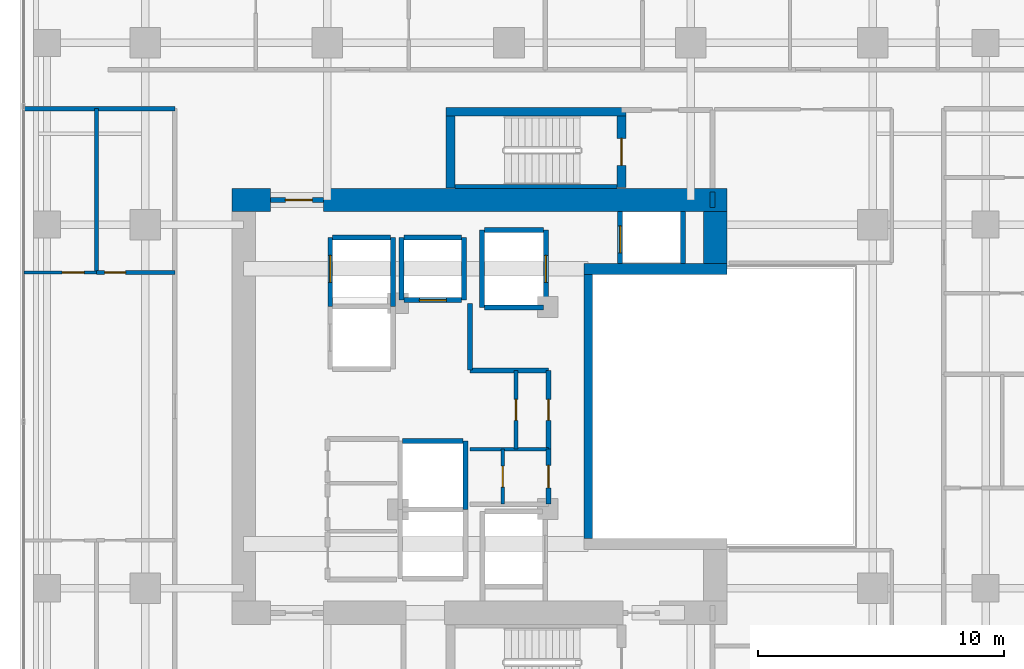
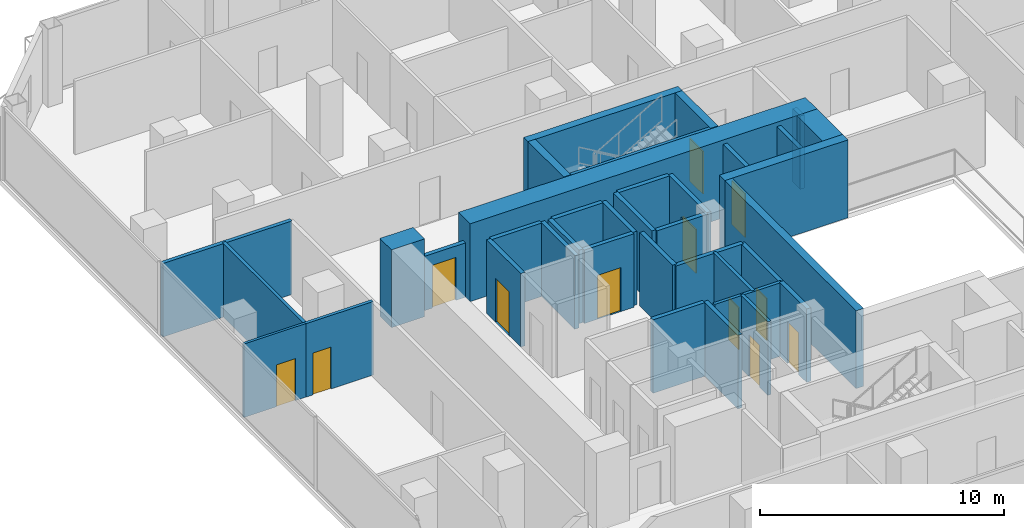
# One storey, part 21 of 27: 37 walls, 12 doors, 12 openings.
"""IFC4 building model written with IfcOpenShell, lengths in metres."""

from ifc_helpers import new_model, si_unit, direction, frame, frame_2d, origin, place, context, subcontext, project, spatial, rectangle, extrude, material, layer, layer_set, type_object, element, fill, save


model = new_model("IFC4")

# Units and contexts
model_context = context("Model", 3, precision=1e-05, world=origin(), true_north=direction((0.0, 1.0)))
body_context = subcontext(model_context, "Body", "Model", "MODEL_VIEW")
ifc_project = project(units=[si_unit("LENGTHUNIT", "METRE"), si_unit("AREAUNIT", "SQUARE_METRE"), si_unit("VOLUMEUNIT", "CUBIC_METRE"), si_unit("PLANEANGLEUNIT", "RADIAN"), si_unit("MASSUNIT", "GRAM", prefix="KILO")], contexts=[model_context])

# Site, building, storey
site_placement = place(None, origin())
site = spatial("IfcSite", under=ifc_project, at=site_placement, CompositionType="ELEMENT")
building_placement = place(site_placement, origin())
building = spatial("IfcBuilding", under=site, at=building_placement, Name="Khorvyn Point Tower", CompositionType="ELEMENT")
storey_placement = place(building_placement, frame((0.0, 0.0, 125.10009765625)))
storey = spatial("IfcBuildingStorey", under=building, at=storey_placement, Name="L31", CompositionType="ELEMENT", Elevation=125.10009765625)

# Walls
ifc_material_1 = material(Name="Double acoustic gypsum on twin steel stud", Category="steel")
ifc_layer_1 = layer(ifc_material_1, 0.179931640625)
ifc_layer_set_1 = layer_set([ifc_layer_1], Name="Acoustic Double-Stud Apartment Demising Wall 180")
wall_type_1 = type_object("IfcWallType", Name="Acoustic Double-Stud Apartment Demising Wall 180", PredefinedType="PARTITIONING", material=ifc_layer_set_1)
wall_1_placement = place(storey_placement, frame((-19.72998046875, 12.1201171875, 0.0), z_axis=(0.0, 0.0, 1.0), x_axis=(1.0, 0.0, 0.0)))
element("IfcWall", 1, at=wall_1_placement, inside=storey, type_object=wall_type_1, Name="Wall", PredefinedType="PARTITIONING", context=body_context, shape_type="SweptSolid", body=[
    extrude(rectangle(XDim=6.1298828125, YDim=0.179931640625, at=frame_2d((3.06494140625, 0.0))), origin(), (0.0, 0.0, 1.0), 3.679931640625),
])
ifc_material_2 = material(Name="Concrete C40/50", Category="concrete")
ifc_layer_2 = layer(ifc_material_2, 0.449951171875)
ifc_layer_set_2 = layer_set([ifc_layer_2], Name="Concrete C40/50 Core Shear Wall 450")
wall_type_2 = type_object("IfcWallType", Name="Concrete C40/50 Core Shear Wall 450", PredefinedType="SHEAR", material=ifc_layer_set_2)
wall_2_placement = place(storey_placement, frame((3.044921875, 5.60009765625, 0.0), z_axis=(0.0, 0.0, 1.0), x_axis=(1.0, 0.0, 0.0)))
element("IfcWall", 2, at=wall_2_placement, inside=storey, type_object=wall_type_2, Name="Wall", PredefinedType="SHEAR", context=body_context, shape_type="SweptSolid", body=[
    extrude(rectangle(XDim=5.830078125, YDim=0.449951171875, at=frame_2d((2.9150390625, 0.0))), origin(), (0.0, 0.0, 1.0), 3.89990234375),
])

# Wall, opening, door
ifc_layer_3 = layer(ifc_material_2, 0.199951171875)
ifc_layer_set_3 = layer_set([ifc_layer_3], Name="Concrete C40/50 Fire-Lobby Compartment Wall 200")
wall_type_3 = type_object("IfcWallType", Name="Concrete C40/50 Fire-Lobby Compartment Wall 200", PredefinedType="SOLIDWALL", material=ifc_layer_set_3)
wall_3_placement = place(storey_placement, frame((-9.699951171875, 8.39990234375, 0.0), z_axis=(0.0, 0.0, 1.0), x_axis=(1.0, 0.0, 0.0)))
wall_3 = element("IfcWall", 3, at=wall_3_placement, inside=storey, type_object=wall_type_3, Name="Wall", PredefinedType="SOLIDWALL", context=body_context, shape_type="SweptSolid", body=[
    extrude(rectangle(XDim=2.14990234375, YDim=0.199951171875, at=frame_2d((1.074951171875, 0.0))), origin(), (0.0, 0.0, 1.0), 2.719970703125),
])
opening_1_placement = place(wall_3_placement, frame((0.597900390625, 0.0, 0.0)))
opening_1 = element("IfcOpeningElement", 4, at=opening_1_placement, cuts=wall_3, Name="Opening ID-FL90", PredefinedType="OPENING", context=body_context, shape_type="SweptSolid", body=[
    extrude(rectangle(XDim=1.10009765625, YDim=2.14990234375, at=frame_2d((0.550048828125, 1.074951171875))), frame((0.0, 0.10986328125, 0.0), z_axis=(0.0, -1.0, 0.0), x_axis=(1.0, 0.0, 0.0)), (0.0, 0.0, 1.0), 0.219970703125),
])
ifc_material_3 = material(Name="Galvanised powder-coated steel", Category="steel")
door_type_1 = type_object("IfcDoorType", Name="Fire-Rated Steel Lobby and Stair Door 1100x2150", OperationType="NOTDEFINED", PredefinedType="DOOR", material=ifc_material_3)
door_1_placement = place(opening_1_placement, origin())
door_1 = element("IfcDoor", 5, at=door_1_placement, inside=storey, type_object=door_type_1, Name="Door", OperationType="SINGLE_SWING_LEFT", OverallHeight=2.14990234375, OverallWidth=1.10009765625, PredefinedType="DOOR", context=body_context, shape_type="SweptSolid", body=[
    extrude(rectangle(XDim=1.10009765625, YDim=2.14990234375, at=frame_2d((0.550048828125, 1.074951171875))), frame((0.0, 0.02490234375, 0.0), z_axis=(0.0, -1.0, 0.0), x_axis=(1.0, 0.0, 0.0)), (0.0, 0.0, 1.0), 0.050048828125),
])
fill(opening_1, door_1)

wall_4_placement = place(storey_placement, frame((1.610107421875, -3.97998046875, 0.0), z_axis=(0.0, 0.0, 1.0), x_axis=(0.0, 1.0, 0.0)))
wall_4 = element("IfcWall", 6, at=wall_4_placement, inside=storey, type_object=wall_type_3, Name="Wall", PredefinedType="SOLIDWALL", context=body_context, shape_type="SweptSolid", body=[
    extrude(rectangle(XDim=2.240966796875, YDim=0.199951171875, at=frame_2d((1.12060546875, 0.0))), origin(), (0.0, 0.0, 1.0), 3.679931640625),
])
opening_2_placement = place(wall_4_placement, frame((0.660400390625, 0.0, 0.0)))
opening_2 = element("IfcOpeningElement", 7, at=opening_2_placement, cuts=wall_4, Name="Opening ID-RS60", PredefinedType="OPENING", context=body_context, shape_type="SweptSolid", body=[
    extrude(rectangle(XDim=0.919921875, YDim=2.10009765625, at=frame_2d((0.4599609375, 1.050048828125))), frame((0.0, 0.10986328125, 0.0), z_axis=(0.0, -1.0, 0.0), x_axis=(1.0, 0.0, 0.0)), (0.0, 0.0, 1.0), 0.219970703125),
])
door_type_2 = type_object("IfcDoorType", Name="Fire-Rated Riser and Store Steel Door 920x2100", OperationType="NOTDEFINED", PredefinedType="DOOR", material=ifc_material_3)
door_2_placement = place(opening_2_placement, origin())
door_2 = element("IfcDoor", 8, at=door_2_placement, inside=storey, type_object=door_type_2, Name="Door", OperationType="SINGLE_SWING_LEFT", OverallHeight=2.10009765625, OverallWidth=0.919921875, PredefinedType="DOOR", context=body_context, shape_type="SweptSolid", body=[
    extrude(rectangle(XDim=0.919921875, YDim=2.10009765625, at=frame_2d((0.4599609375, 1.050048828125))), frame((0.0, 0.02490234375, 0.0), z_axis=(0.0, -1.0, 0.0), x_axis=(1.0, 0.0, 0.0)), (0.0, 0.0, 1.0), 0.050048828125),
])
fill(opening_2, door_2)

wall_5_placement = place(storey_placement, frame((1.610107421875, -1.739013671875, 0.0), z_axis=(0.0, 0.0, 1.0), x_axis=(0.0, 1.0, 0.0)))
wall_5 = element("IfcWall", 9, at=wall_5_placement, inside=storey, type_object=wall_type_3, Name="Wall", PredefinedType="SOLIDWALL", context=body_context, shape_type="SweptSolid", body=[
    extrude(rectangle(XDim=3.198974609375, YDim=0.199951171875, at=frame_2d((1.599609375, 0.0))), origin(), (0.0, 0.0, 1.0), 3.679931640625),
])
opening_3_placement = place(wall_5_placement, frame((1.174560546875, 0.0, 0.0)))
opening_3 = element("IfcOpeningElement", 10, at=opening_3_placement, cuts=wall_5, Name="Opening ID-WC85", PredefinedType="OPENING", context=body_context, shape_type="SweptSolid", body=[
    extrude(rectangle(XDim=0.85009765625, YDim=2.10009765625, at=frame_2d((0.425048828125, 1.050048828125))), frame((0.0, 0.10986328125, 0.0), z_axis=(0.0, -1.0, 0.0), x_axis=(1.0, 0.0, 0.0)), (0.0, 0.0, 1.0), 0.219970703125),
])
ifc_material_4 = material(Name="High-pressure laminate on moisture-resistant core", Category="wood")
door_type_3 = type_object("IfcDoorType", Name="Moisture-Resistant Accessible Washroom Door 850x2100", OperationType="NOTDEFINED", PredefinedType="DOOR", material=ifc_material_4)
door_3_placement = place(opening_3_placement, origin())
door_3 = element("IfcDoor", 11, at=door_3_placement, inside=storey, type_object=door_type_3, Name="Door", OperationType="SINGLE_SWING_RIGHT", OverallHeight=2.10009765625, OverallWidth=0.85009765625, PredefinedType="DOOR", context=body_context, shape_type="SweptSolid", body=[
    extrude(rectangle(XDim=0.85009765625, YDim=2.10009765625, at=frame_2d((0.425048828125, 1.050048828125))), frame((0.0, 0.02490234375, 0.0), z_axis=(0.0, -1.0, 0.0), x_axis=(1.0, 0.0, 0.0)), (0.0, 0.0, 1.0), 0.050048828125),
])
fill(opening_3, door_3)

# Walls
wall_6_placement = place(storey_placement, frame((-1.580078125, 1.47998046875, 0.0), z_axis=(0.0, 0.0, 1.0), x_axis=(0.0, 1.0, 0.0)))
element("IfcWall", 12, at=wall_6_placement, inside=storey, type_object=wall_type_3, Name="Wall", PredefinedType="SOLIDWALL", context=body_context, shape_type="SweptSolid", body=[
    extrude(rectangle(XDim=2.699951171875, YDim=0.199951171875, at=frame_2d((1.35009765625, 0.0))), origin(), (0.0, 0.0, 1.0), 3.679931640625),
])
wall_7_placement = place(storey_placement, frame((-1.580078125, 1.4599609375, 0.0), z_axis=(0.0, 0.0, 1.0), x_axis=(1.0, 0.0, 0.0)))
element("IfcWall", 13, at=wall_7_placement, inside=storey, type_object=wall_type_3, Name="Wall", PredefinedType="SOLIDWALL", context=body_context, shape_type="SweptSolid", body=[
    extrude(rectangle(XDim=3.190185546875, YDim=0.199951171875, at=frame_2d((1.59521484375, 0.0))), origin(), (0.0, 0.0, 1.0), 3.679931640625),
])
wall_8_placement = place(storey_placement, frame((8.280029296875, 8.10009765625, 0.0), z_axis=(0.0, 0.0, 1.0), x_axis=(0.0, 1.0, 0.0)))
element("IfcWall", 14, at=wall_8_placement, inside=storey, type_object=wall_type_3, Name="Wall", PredefinedType="SOLIDWALL", context=body_context, shape_type="SweptSolid", body=[
    extrude(rectangle(XDim=0.625, YDim=0.199951171875, at=frame_2d((0.3125, 0.0))), origin(), (0.0, 0.0, 1.0), 3.679931640625),
])
ifc_layer_4 = layer(ifc_material_2, 0.25)
ifc_layer_set_4 = layer_set([ifc_layer_4], Name="Concrete C40/50 Stair Inner Cheek Structural Wall 250")
wall_type_4 = type_object("IfcWallType", Name="Concrete C40/50 Stair Inner Cheek Structural Wall 250", PredefinedType="SHEAR", material=ifc_layer_set_4)
wall_9_placement = place(storey_placement, frame((-2.199951171875, 8.949951171875, 0.0), z_axis=(0.0, 0.0, 1.0), x_axis=(1.0, 0.0, 0.0)))
element("IfcWall", 15, at=wall_9_placement, inside=storey, type_object=wall_type_4, Name="Wall", PredefinedType="SHEAR", context=body_context, shape_type="SweptSolid", body=[
    extrude(rectangle(XDim=6.599853515625, YDim=0.14990234375, at=frame_2d((3.2998046875, 0.0))), origin(), (0.0, 0.0, 1.0), 3.89990234375),
])
ifc_layer_5 = layer(ifc_material_2, 0.35009765625)
ifc_layer_set_5 = layer_set([ifc_layer_5], Name="Concrete C40/50 Stair Shaft Structural Wall 350")
wall_type_5 = type_object("IfcWallType", Name="Concrete C40/50 Stair Shaft Structural Wall 350", PredefinedType="SHEAR", material=ifc_layer_set_5)
wall_10_placement = place(storey_placement, frame((3.219970703125, -5.375, 0.0), z_axis=(0.0, 0.0, 1.0), x_axis=(0.0, 1.0, 0.0)))
element("IfcWall", 16, at=wall_10_placement, inside=storey, type_object=wall_type_5, Name="Wall", PredefinedType="SHEAR", context=body_context, shape_type="SweptSolid", body=[
    extrude(rectangle(XDim=10.75, YDim=0.35009765625, at=frame_2d((5.375, 0.0))), origin(), (0.0, 0.0, 1.0), 3.89990234375),
])
wall_11_placement = place(storey_placement, frame((-2.554931640625, 12.0, 0.0), z_axis=(0.0, 0.0, 1.0), x_axis=(1.0, 0.0, 0.0)))
element("IfcWall", 17, at=wall_11_placement, inside=storey, type_object=wall_type_5, Name="L31 ST-02 North Shaft Wall", PredefinedType="SHEAR", context=body_context, shape_type="SweptSolid", body=[
    extrude(rectangle(XDim=7.309814453125, YDim=0.35009765625, at=frame_2d((3.65478515625, 0.0))), origin(), (0.0, 0.0, 1.0), 3.89990234375),
])
wall_12_placement = place(storey_placement, frame((-2.3798828125, 8.89990234375, 0.0), z_axis=(0.0, 0.0, 1.0), x_axis=(0.0, 1.0, 0.0)))
element("IfcWall", 18, at=wall_12_placement, inside=storey, type_object=wall_type_5, Name="L31 ST-02 West Shaft Wall", PredefinedType="SHEAR", context=body_context, shape_type="SweptSolid", body=[
    extrude(rectangle(XDim=2.925048828125, YDim=0.35009765625, at=frame_2d((1.46240234375, 0.0))), origin(), (0.0, 0.0, 1.0), 3.89990234375),
])

# Wall, opening, door
wall_13_placement = place(storey_placement, frame((4.580078125, 11.824951171875, 0.0), z_axis=(0.0, 0.0, 1.0), x_axis=(0.0, -1.0, 0.0)))
wall_13 = element("IfcWall", 19, at=wall_13_placement, inside=storey, type_object=wall_type_5, Name="L31 ST-02 East Landing Door Wall", PredefinedType="SHEAR", context=body_context, shape_type="SweptSolid", body=[
    extrude(rectangle(XDim=2.925048828125, YDim=0.35009765625, at=frame_2d((1.46240234375, 0.0))), origin(), (0.0, 0.0, 1.0), 3.89990234375),
])
opening_4_placement = place(wall_13_placement, frame((0.91259765625, 0.0, 0.0)))
opening_4 = element("IfcOpeningElement", 20, at=opening_4_placement, cuts=wall_13, Name="Opening ID-FL90", PredefinedType="OPENING", context=body_context, shape_type="SweptSolid", body=[
    extrude(rectangle(XDim=1.10009765625, YDim=2.14990234375, at=frame_2d((0.550048828125, 1.074951171875))), frame((0.0, 0.18505859375, 0.0), z_axis=(0.0, -1.0, 0.0), x_axis=(1.0, 0.0, 0.0)), (0.0, 0.0, 1.0), 0.3701171875),
])
door_4_placement = place(opening_4_placement, origin())
door_4 = element("IfcDoor", 21, at=door_4_placement, inside=storey, type_object=door_type_1, Name="L31 ST-02 Smokeproof Landing Door", OperationType="SINGLE_SWING_RIGHT", OverallHeight=2.14990234375, OverallWidth=1.10009765625, PredefinedType="DOOR", context=body_context, shape_type="SweptSolid", body=[
    extrude(rectangle(XDim=1.10009765625, YDim=2.14990234375, at=frame_2d((0.550048828125, 1.074951171875))), frame((0.0, 0.02490234375, 0.0), z_axis=(0.0, -1.0, 0.0), x_axis=(1.0, 0.0, 0.0)), (0.0, 0.0, 1.0), 0.050048828125),
])
fill(opening_4, door_4)

ifc_layer_6 = layer(ifc_material_2, 0.199951171875)
ifc_layer_set_6 = layer_set([ifc_layer_6], Name="Concrete C40/50 Structural Hoistway and Stair Shaft Wall 200")
wall_type_6 = type_object("IfcWallType", Name="Concrete C40/50 Structural Hoistway and Stair Shaft Wall 200", PredefinedType="SHEAR", material=ifc_layer_set_6)
wall_14_placement = place(storey_placement, frame((-7.27490234375, 4.074951171875, 0.0), z_axis=(0.0, 0.0, 1.0), x_axis=(0.0, 1.0, 0.0)))
wall_14 = element("IfcWall", 22, at=wall_14_placement, inside=storey, type_object=wall_type_6, Name="Wall", PredefinedType="SHEAR", context=body_context, shape_type="SweptSolid", body=[
    extrude(rectangle(XDim=2.800048828125, YDim=0.199951171875, at=frame_2d((1.39990234375, 0.0))), origin(), (0.0, 0.0, 1.0), 3.679931640625),
])
opening_5_placement = place(wall_14_placement, frame((0.97509765625, 0.0, 0.0)))
opening_5 = element("IfcOpeningElement", 23, at=opening_5_placement, cuts=wall_14, Name="Opening LD-1122", PredefinedType="OPENING", context=body_context, shape_type="SweptSolid", body=[
    extrude(rectangle(XDim=1.10009765625, YDim=2.199951171875, at=frame_2d((0.550048828125, 1.10009765625))), frame((0.0, 0.10986328125, 0.0), z_axis=(0.0, -1.0, 0.0), x_axis=(1.0, 0.0, 0.0)), (0.0, 0.0, 1.0), 0.219970703125),
])
ifc_material_5 = material(Name="Stainless steel 1.4301", Category="steel")
door_type_4 = type_object("IfcDoorType", Name="Stainless Steel Automatic Sliding Lift Landing Door 1100x2200", OperationType="SLIDING_TO_LEFT", PredefinedType="DOOR", material=ifc_material_5)
door_5_placement = place(opening_5_placement, origin())
door_5 = element("IfcDoor", 24, at=door_5_placement, inside=storey, type_object=door_type_4, Name="L31 RM-02 Sliding Lift Landing Door", OperationType="SLIDING_TO_LEFT", OverallHeight=2.199951171875, OverallWidth=1.10009765625, PredefinedType="DOOR", context=body_context, shape_type="SweptSolid", body=[
    extrude(rectangle(XDim=1.10009765625, YDim=2.199951171875, at=frame_2d((0.550048828125, 1.10009765625))), frame((0.0, 0.02490234375, 0.0), z_axis=(0.0, -1.0, 0.0), x_axis=(1.0, 0.0, 0.0)), (0.0, 0.0, 1.0), 0.050048828125),
])
fill(opening_5, door_5)

# Walls
wall_15_placement = place(storey_placement, frame((-4.72509765625, 4.074951171875, 0.0), z_axis=(0.0, 0.0, 1.0), x_axis=(0.0, 1.0, 0.0)))
element("IfcWall", 25, at=wall_15_placement, inside=storey, type_object=wall_type_6, Name="Wall", PredefinedType="SHEAR", context=body_context, shape_type="SweptSolid", body=[
    extrude(rectangle(XDim=2.800048828125, YDim=0.199951171875, at=frame_2d((1.39990234375, 0.0))), origin(), (0.0, 0.0, 1.0), 3.679931640625),
])
wall_16_placement = place(storey_placement, frame((-7.175048828125, 6.875, 0.0), z_axis=(0.0, 0.0, 1.0), x_axis=(1.0, 0.0, 0.0)))
element("IfcWall", 26, at=wall_16_placement, inside=storey, type_object=wall_type_6, Name="Wall", PredefinedType="SHEAR", context=body_context, shape_type="SweptSolid", body=[
    extrude(rectangle(XDim=2.35009765625, YDim=0.199951171875, at=frame_2d((1.175048828125, 0.0))), origin(), (0.0, 0.0, 1.0), 3.679931640625),
])
for number, where, z_axis, x_axis, name in (
    (27, (-4.375, 4.324951171875, 0.0), (0.0, 0.0, 1.0), (0.0, 1.0, 0.0), "Wall"),
    (28, (-1.824951171875, 4.324951171875, 0.0), (0.0, 0.0, 1.0), (0.0, 1.0, 0.0), "Wall"),
):
    element("IfcWall", number, at=place(storey_placement, frame(where, z_axis=z_axis, x_axis=x_axis)), inside=storey, type_object=wall_type_6, Name=name, PredefinedType="SHEAR", context=body_context, shape_type="SweptSolid", body=[
        extrude(rectangle(XDim=2.550048828125, YDim=0.199951171875, at=frame_2d((1.27490234375, 0.0))), origin(), (0.0, 0.0, 1.0), 3.679931640625),
    ])

# Wall, opening, door
wall_17_placement = place(storey_placement, frame((-4.27490234375, 4.324951171875, 0.0), z_axis=(0.0, 0.0, 1.0), x_axis=(1.0, 0.0, 0.0)))
wall_17 = element("IfcWall", 29, at=wall_17_placement, inside=storey, type_object=wall_type_6, Name="Wall", PredefinedType="SHEAR", context=body_context, shape_type="SweptSolid", body=[
    extrude(rectangle(XDim=2.349853515625, YDim=0.199951171875, at=frame_2d((1.1748046875, 0.0))), origin(), (0.0, 0.0, 1.0), 3.679931640625),
])
opening_6_placement = place(wall_17_placement, frame((0.625, 0.0, 0.0)))
opening_6 = element("IfcOpeningElement", 30, at=opening_6_placement, cuts=wall_17, Name="Opening LD-1122", PredefinedType="OPENING", context=body_context, shape_type="SweptSolid", body=[
    extrude(rectangle(XDim=1.10009765625, YDim=2.199951171875, at=frame_2d((0.550048828125, 1.10009765625))), frame((0.0, 0.10986328125, 0.0), z_axis=(0.0, -1.0, 0.0), x_axis=(1.0, 0.0, 0.0)), (0.0, 0.0, 1.0), 0.219970703125),
])
door_6_placement = place(opening_6_placement, origin())
door_6 = element("IfcDoor", 31, at=door_6_placement, inside=storey, type_object=door_type_4, Name="L31 RM-03 Sliding Lift Landing Door", OperationType="SLIDING_TO_LEFT", OverallHeight=2.199951171875, OverallWidth=1.10009765625, PredefinedType="DOOR", context=body_context, shape_type="SweptSolid", body=[
    extrude(rectangle(XDim=1.10009765625, YDim=2.199951171875, at=frame_2d((0.550048828125, 1.10009765625))), frame((0.0, 0.02490234375, 0.0), z_axis=(0.0, -1.0, 0.0), x_axis=(1.0, 0.0, 0.0)), (0.0, 0.0, 1.0), 0.050048828125),
])
fill(opening_6, door_6)

# Walls
wall_18_placement = place(storey_placement, frame((-4.27490234375, 6.875, 0.0), z_axis=(0.0, 0.0, 1.0), x_axis=(1.0, 0.0, 0.0)))
element("IfcWall", 32, at=wall_18_placement, inside=storey, type_object=wall_type_6, Name="Wall", PredefinedType="SHEAR", context=body_context, shape_type="SweptSolid", body=[
    extrude(rectangle(XDim=2.349853515625, YDim=0.199951171875, at=frame_2d((1.1748046875, 0.0))), origin(), (0.0, 0.0, 1.0), 3.679931640625),
])
wall_19_placement = place(storey_placement, frame((-1.77490234375, -4.199951171875, 0.0), z_axis=(0.0, 0.0, 1.0), x_axis=(0.0, 1.0, 0.0)))
element("IfcWall", 33, at=wall_19_placement, inside=storey, type_object=wall_type_6, Name="Wall", PredefinedType="SHEAR", context=body_context, shape_type="SweptSolid", body=[
    extrude(rectangle(XDim=2.800048828125, YDim=0.199951171875, at=frame_2d((1.39990234375, 0.0))), origin(), (0.0, 0.0, 1.0), 3.679931640625),
])
wall_20_placement = place(storey_placement, frame((-4.324951171875, -1.39990234375, 0.0), z_axis=(0.0, 0.0, 1.0), x_axis=(1.0, 0.0, 0.0)))
element("IfcWall", 34, at=wall_20_placement, inside=storey, type_object=wall_type_6, Name="Wall", PredefinedType="SHEAR", context=body_context, shape_type="SweptSolid", body=[
    extrude(rectangle(XDim=2.449951171875, YDim=0.199951171875, at=frame_2d((1.22509765625, 0.0))), origin(), (0.0, 0.0, 1.0), 3.679931640625),
])
wall_21_placement = place(storey_placement, frame((-1.10009765625, 4.02490234375, 0.0), z_axis=(0.0, 0.0, 1.0), x_axis=(0.0, 1.0, 0.0)))
element("IfcWall", 35, at=wall_21_placement, inside=storey, type_object=wall_type_6, Name="Wall", PredefinedType="SHEAR", context=body_context, shape_type="SweptSolid", body=[
    extrude(rectangle(XDim=3.150146484375, YDim=0.199951171875, at=frame_2d((1.5751953125, 0.0))), origin(), (0.0, 0.0, 1.0), 3.679931640625),
])

# Wall, opening, door
wall_22_placement = place(storey_placement, frame((1.5, 4.02490234375, 0.0), z_axis=(0.0, 0.0, 1.0), x_axis=(0.0, 1.0, 0.0)))
wall_22 = element("IfcWall", 36, at=wall_22_placement, inside=storey, type_object=wall_type_6, Name="Wall", PredefinedType="SHEAR", context=body_context, shape_type="SweptSolid", body=[
    extrude(rectangle(XDim=3.150146484375, YDim=0.199951171875, at=frame_2d((1.5751953125, 0.0))), origin(), (0.0, 0.0, 1.0), 3.679931640625),
])
opening_7_placement = place(wall_22_placement, frame((1.02490234375, 0.0, 0.0)))
opening_7 = element("IfcOpeningElement", 37, at=opening_7_placement, cuts=wall_22, Name="Opening LD-1122", PredefinedType="OPENING", context=body_context, shape_type="SweptSolid", body=[
    extrude(rectangle(XDim=1.10009765625, YDim=2.199951171875, at=frame_2d((0.550048828125, 1.10009765625))), frame((0.0, 0.10986328125, 0.0), z_axis=(0.0, -1.0, 0.0), x_axis=(1.0, 0.0, 0.0)), (0.0, 0.0, 1.0), 0.219970703125),
])
door_7_placement = place(opening_7_placement, origin())
door_7 = element("IfcDoor", 38, at=door_7_placement, inside=storey, type_object=door_type_4, Name="L31 SV-01 Sliding Lift Landing Door", OperationType="SLIDING_TO_LEFT", OverallHeight=2.199951171875, OverallWidth=1.10009765625, PredefinedType="DOOR", context=body_context, shape_type="SweptSolid", body=[
    extrude(rectangle(XDim=1.10009765625, YDim=2.199951171875, at=frame_2d((0.550048828125, 1.10009765625))), frame((0.0, 0.02490234375, 0.0), z_axis=(0.0, -1.0, 0.0), x_axis=(1.0, 0.0, 0.0)), (0.0, 0.0, 1.0), 0.050048828125),
])
fill(opening_7, door_7)

# Walls
for number, where, z_axis, x_axis, name in (
    (39, (-1.0, 4.02490234375, 0.0), (0.0, 0.0, 1.0), (1.0, 0.0, 0.0), "Wall"),
    (40, (-1.0, 7.175048828125, 0.0), (0.0, 0.0, 1.0), (1.0, 0.0, 0.0), "Wall"),
):
    element("IfcWall", number, at=place(storey_placement, frame(where, z_axis=z_axis, x_axis=x_axis)), inside=storey, type_object=wall_type_6, Name=name, PredefinedType="SHEAR", context=body_context, shape_type="SweptSolid", body=[
        extrude(rectangle(XDim=2.39990234375, YDim=0.199951171875, at=frame_2d((1.199951171875, 0.0))), origin(), (0.0, 0.0, 1.0), 3.679931640625),
    ])

# Wall, opening, door
wall_23_placement = place(storey_placement, frame((4.52490234375, 5.824951171875, 0.0), z_axis=(0.0, 0.0, 1.0), x_axis=(0.0, 1.0, 0.0)))
wall_23 = element("IfcWall", 41, at=wall_23_placement, inside=storey, type_object=wall_type_6, Name="Wall", PredefinedType="SHEAR", context=body_context, shape_type="SweptSolid", body=[
    extrude(rectangle(XDim=2.10009765625, YDim=0.199951171875, at=frame_2d((1.050048828125, 0.0))), origin(), (0.0, 0.0, 1.0), 3.679931640625),
])
opening_8_placement = place(wall_23_placement, frame((0.425048828125, 0.0, 0.0)))
opening_8 = element("IfcOpeningElement", 42, at=opening_8_placement, cuts=wall_23, Name="Opening LD-1122", PredefinedType="OPENING", context=body_context, shape_type="SweptSolid", body=[
    extrude(rectangle(XDim=1.10009765625, YDim=2.199951171875, at=frame_2d((0.550048828125, 1.10009765625))), frame((0.0, 0.10986328125, 0.0), z_axis=(0.0, -1.0, 0.0), x_axis=(1.0, 0.0, 0.0)), (0.0, 0.0, 1.0), 0.219970703125),
])
door_8_placement = place(opening_8_placement, origin())
door_8 = element("IfcDoor", 43, at=door_8_placement, inside=storey, type_object=door_type_4, Name="L31 FF-02 Sliding Lift Landing Door", OperationType="SLIDING_TO_LEFT", OverallHeight=2.199951171875, OverallWidth=1.10009765625, PredefinedType="DOOR", context=body_context, shape_type="SweptSolid", body=[
    extrude(rectangle(XDim=1.10009765625, YDim=2.199951171875, at=frame_2d((0.550048828125, 1.10009765625))), frame((0.0, 0.02490234375, 0.0), z_axis=(0.0, -1.0, 0.0), x_axis=(1.0, 0.0, 0.0)), (0.0, 0.0, 1.0), 0.050048828125),
])
fill(opening_8, door_8)

# Walls
wall_24_placement = place(storey_placement, frame((7.074951171875, 5.824951171875, 0.0), z_axis=(0.0, 0.0, 1.0), x_axis=(0.0, 1.0, 0.0)))
element("IfcWall", 44, at=wall_24_placement, inside=storey, type_object=wall_type_6, Name="Wall", PredefinedType="SHEAR", context=body_context, shape_type="SweptSolid", body=[
    extrude(rectangle(XDim=2.10009765625, YDim=0.199951171875, at=frame_2d((1.050048828125, 0.0))), origin(), (0.0, 0.0, 1.0), 3.679931640625),
])
ifc_material_6 = material(Name="Concrete C50/60", Category="concrete")
ifc_layer_7 = layer(ifc_material_6, 0.949951171875)
ifc_layer_set_7 = layer_set([ifc_layer_7], Name="Concrete C50/60 Core Shear Wall 950")
wall_type_7 = type_object("IfcWallType", Name="Concrete C50/60 Core Shear Wall 950", PredefinedType="SHEAR", material=ifc_layer_set_7)
wall_25_placement = place(storey_placement, frame((-11.27490234375, 8.39990234375, 0.0), z_axis=(0.0, 0.0, 1.0), x_axis=(1.0, 0.0, 0.0)))
element("IfcWall", 45, at=wall_25_placement, inside=storey, type_object=wall_type_7, Name="Wall", PredefinedType="SHEAR", context=body_context, shape_type="SweptSolid", body=[
    extrude(rectangle(XDim=1.574951171875, YDim=0.949951171875, at=frame_2d((0.78759765625, 0.0))), origin(), (0.0, 0.0, 1.0), 3.89990234375),
])
wall_26_placement = place(storey_placement, frame((-7.550048828125, 8.39990234375, 0.0), z_axis=(0.0, 0.0, 1.0), x_axis=(1.0, 0.0, 0.0)))
element("IfcWall", 46, at=wall_26_placement, inside=storey, type_object=wall_type_7, Name="Wall", PredefinedType="SHEAR", context=body_context, shape_type="SweptSolid", body=[
    extrude(rectangle(XDim=16.425048828125, YDim=0.949951171875, at=frame_2d((8.21240234375, 0.0))), origin(), (0.0, 0.0, 1.0), 3.89990234375),
])
wall_27_placement = place(storey_placement, frame((8.39990234375, 5.824951171875, 0.0), z_axis=(0.0, 0.0, 1.0), x_axis=(0.0, 1.0, 0.0)))
element("IfcWall", 47, at=wall_27_placement, inside=storey, type_object=wall_type_7, Name="Wall", PredefinedType="SHEAR", context=body_context, shape_type="SweptSolid", body=[
    extrude(rectangle(XDim=2.10009765625, YDim=0.949951171875, at=frame_2d((1.050048828125, 0.0))), origin(), (0.0, 0.0, 1.0), 3.89990234375),
])

# Wall, opening, door
ifc_material_7 = material(Name="Gypsum plasterboard on steel stud", Category="steel")
ifc_layer_8 = layer(ifc_material_7, 0.1201171875)
ifc_layer_set_8 = layer_set([ifc_layer_8], Name="Gypsum Acoustic Stud Room Partition Wall 120")
wall_type_8 = type_object("IfcWallType", Name="Gypsum Acoustic Stud Room Partition Wall 120", PredefinedType="PARTITIONING", material=ifc_layer_set_8)
wall_28_placement = place(storey_placement, frame((-19.72998046875, 5.448974609375, 0.0), z_axis=(0.0, 0.0, 1.0), x_axis=(1.0, 0.0, 0.0)))
wall_28 = element("IfcWall", 48, at=wall_28_placement, inside=storey, type_object=wall_type_8, Name="Wall", PredefinedType="PARTITIONING", context=body_context, shape_type="SweptSolid", body=[
    extrude(rectangle(XDim=2.946044921875, YDim=0.1201171875, at=frame_2d((1.47314453125, 0.0))), origin(), (0.0, 0.0, 1.0), 3.679931640625),
])
opening_9_placement = place(wall_28_placement, frame((1.540771484375, 0.0, 0.0)))
opening_9 = element("IfcOpeningElement", 49, at=opening_9_placement, cuts=wall_28, Name="Opening ID-RM90", PredefinedType="OPENING", context=body_context, shape_type="SweptSolid", body=[
    extrude(rectangle(XDim=0.89990234375, YDim=2.10009765625, at=frame_2d((0.449951171875, 1.050048828125))), frame((0.0, 0.070068359375, 0.0), z_axis=(0.0, -1.0, 0.0), x_axis=(1.0, 0.0, 0.0)), (0.0, 0.0, 1.0), 0.14013671875),
])
ifc_material_8 = material(Name="Engineered oak veneer timber", Category="wood")
door_type_5 = type_object("IfcDoorType", Name="Flush Engineered Timber Room Door 900x2100", OperationType="NOTDEFINED", PredefinedType="DOOR", material=ifc_material_8)
door_9_placement = place(opening_9_placement, origin())
door_9 = element("IfcDoor", 50, at=door_9_placement, inside=storey, type_object=door_type_5, Name="Door", OperationType="SINGLE_SWING_RIGHT", OverallHeight=2.10009765625, OverallWidth=0.89990234375, PredefinedType="DOOR", context=body_context, shape_type="SweptSolid", body=[
    extrude(rectangle(XDim=0.89990234375, YDim=2.10009765625, at=frame_2d((0.449951171875, 1.050048828125))), frame((0.0, 0.02490234375, 0.0), z_axis=(0.0, -1.0, 0.0), x_axis=(1.0, 0.0, 0.0)), (0.0, 0.0, 1.0), 0.050048828125),
])
fill(opening_9, door_9)

ifc_material_9 = material(Name="Moisture-resistant gypsum and cement board", Category="gypsum")
ifc_layer_9 = layer(ifc_material_9, 0.14990234375)
ifc_layer_set_9 = layer_set([ifc_layer_9], Name="Moisture-Resistant Wet-Room Partition Wall 150")
wall_type_9 = type_object("IfcWallType", Name="Moisture-Resistant Wet-Room Partition Wall 150", PredefinedType="PARTITIONING", material=ifc_layer_set_9)
wall_29_placement = place(storey_placement, frame((-0.25, -3.97998046875, 0.0), z_axis=(0.0, 0.0, 1.0), x_axis=(0.0, 1.0, 0.0)))
wall_29 = element("IfcWall", 51, at=wall_29_placement, inside=storey, type_object=wall_type_9, Name="Wall", PredefinedType="PARTITIONING", context=body_context, shape_type="SweptSolid", body=[
    extrude(rectangle(XDim=2.240966796875, YDim=0.14990234375, at=frame_2d((1.12060546875, 0.0))), origin(), (0.0, 0.0, 1.0), 3.679931640625),
])
opening_10_placement = place(wall_29_placement, frame((0.695556640625, 0.0, 0.0)))
opening_10 = element("IfcOpeningElement", 52, at=opening_10_placement, cuts=wall_29, Name="Opening ID-WC85", PredefinedType="OPENING", context=body_context, shape_type="SweptSolid", body=[
    extrude(rectangle(XDim=0.85009765625, YDim=2.10009765625, at=frame_2d((0.425048828125, 1.050048828125))), frame((0.0, 0.0849609375, 0.0), z_axis=(0.0, -1.0, 0.0), x_axis=(1.0, 0.0, 0.0)), (0.0, 0.0, 1.0), 0.169921875),
])
door_10_placement = place(opening_10_placement, origin())
door_10 = element("IfcDoor", 53, at=door_10_placement, inside=storey, type_object=door_type_3, Name="Door", OperationType="SINGLE_SWING_LEFT", OverallHeight=2.10009765625, OverallWidth=0.85009765625, PredefinedType="DOOR", context=body_context, shape_type="SweptSolid", body=[
    extrude(rectangle(XDim=0.85009765625, YDim=2.10009765625, at=frame_2d((0.425048828125, 1.050048828125))), frame((0.0, 0.02490234375, 0.0), z_axis=(0.0, -1.0, 0.0), x_axis=(1.0, 0.0, 0.0)), (0.0, 0.0, 1.0), 0.050048828125),
])
fill(opening_10, door_10)

wall_30_placement = place(storey_placement, frame((0.2900390625, -1.739013671875, 0.0), z_axis=(0.0, 0.0, 1.0), x_axis=(0.0, 1.0, 0.0)))
wall_30 = element("IfcWall", 54, at=wall_30_placement, inside=storey, type_object=wall_type_9, Name="Wall", PredefinedType="PARTITIONING", context=body_context, shape_type="SweptSolid", body=[
    extrude(rectangle(XDim=3.198974609375, YDim=0.14990234375, at=frame_2d((1.599609375, 0.0))), origin(), (0.0, 0.0, 1.0), 3.679931640625),
])
opening_11_placement = place(wall_30_placement, frame((1.174560546875, 0.0, 0.0)))
opening_11 = element("IfcOpeningElement", 55, at=opening_11_placement, cuts=wall_30, Name="Opening ID-WC85", PredefinedType="OPENING", context=body_context, shape_type="SweptSolid", body=[
    extrude(rectangle(XDim=0.85009765625, YDim=2.10009765625, at=frame_2d((0.425048828125, 1.050048828125))), frame((0.0, 0.0849609375, 0.0), z_axis=(0.0, -1.0, 0.0), x_axis=(1.0, 0.0, 0.0)), (0.0, 0.0, 1.0), 0.169921875),
])
door_11_placement = place(opening_11_placement, origin())
door_11 = element("IfcDoor", 56, at=door_11_placement, inside=storey, type_object=door_type_3, Name="Door", OperationType="SINGLE_SWING_RIGHT", OverallHeight=2.10009765625, OverallWidth=0.85009765625, PredefinedType="DOOR", context=body_context, shape_type="SweptSolid", body=[
    extrude(rectangle(XDim=0.85009765625, YDim=2.10009765625, at=frame_2d((0.425048828125, 1.050048828125))), frame((0.0, 0.02490234375, 0.0), z_axis=(0.0, -1.0, 0.0), x_axis=(1.0, 0.0, 0.0)), (0.0, 0.0, 1.0), 0.050048828125),
])
fill(opening_11, door_11)

wall_31_placement = place(storey_placement, frame((-16.783935546875, 5.448974609375, 0.0), z_axis=(0.0, 0.0, 1.0), x_axis=(1.0, 0.0, 0.0)))
wall_31 = element("IfcWall", 57, at=wall_31_placement, inside=storey, type_object=wall_type_9, Name="Wall", PredefinedType="PARTITIONING", context=body_context, shape_type="SweptSolid", body=[
    extrude(rectangle(XDim=3.183837890625, YDim=0.14990234375, at=frame_2d((1.591796875, 0.0))), origin(), (0.0, 0.0, 1.0), 3.679931640625),
])
opening_12_placement = place(wall_31_placement, frame((0.327880859375, 0.0, 0.0)))
opening_12 = element("IfcOpeningElement", 58, at=opening_12_placement, cuts=wall_31, Name="Opening ID-WC85", PredefinedType="OPENING", context=body_context, shape_type="SweptSolid", body=[
    extrude(rectangle(XDim=0.85009765625, YDim=2.10009765625, at=frame_2d((0.425048828125, 1.050048828125))), frame((0.0, 0.0849609375, 0.0), z_axis=(0.0, -1.0, 0.0), x_axis=(1.0, 0.0, 0.0)), (0.0, 0.0, 1.0), 0.169921875),
])
door_12_placement = place(opening_12_placement, origin())
door_12 = element("IfcDoor", 59, at=door_12_placement, inside=storey, type_object=door_type_3, Name="Door", OperationType="SINGLE_SWING_LEFT", OverallHeight=2.10009765625, OverallWidth=0.85009765625, PredefinedType="DOOR", context=body_context, shape_type="SweptSolid", body=[
    extrude(rectangle(XDim=0.85009765625, YDim=2.10009765625, at=frame_2d((0.425048828125, 1.050048828125))), frame((0.0, 0.02490234375, 0.0), z_axis=(0.0, -1.0, 0.0), x_axis=(1.0, 0.0, 0.0)), (0.0, 0.0, 1.0), 0.050048828125),
])
fill(opening_12, door_12)

# Walls
wall_32_placement = place(storey_placement, frame((-1.580078125, -1.739013671875, 0.0), z_axis=(0.0, 0.0, 1.0), x_axis=(1.0, 0.0, 0.0)))
element("IfcWall", 60, at=wall_32_placement, inside=storey, type_object=wall_type_9, Name="Wall", PredefinedType="PARTITIONING", context=body_context, shape_type="SweptSolid", body=[
    extrude(rectangle(XDim=3.190185546875, YDim=0.14990234375, at=frame_2d((1.59521484375, 0.0))), origin(), (0.0, 0.0, 1.0), 3.679931640625),
])
wall_33_placement = place(storey_placement, frame((-16.783935546875, 5.448974609375, 0.0), z_axis=(0.0, 0.0, 1.0), x_axis=(0.0, 1.0, 0.0)))
element("IfcWall", 61, at=wall_33_placement, inside=storey, type_object=wall_type_9, Name="Wall", PredefinedType="PARTITIONING", context=body_context, shape_type="SweptSolid", body=[
    extrude(rectangle(XDim=6.671142578125, YDim=0.14990234375, at=frame_2d((3.33544921875, 0.0))), origin(), (0.0, 0.0, 1.0), 3.679931640625),
])

save(model, "model.ifc")
